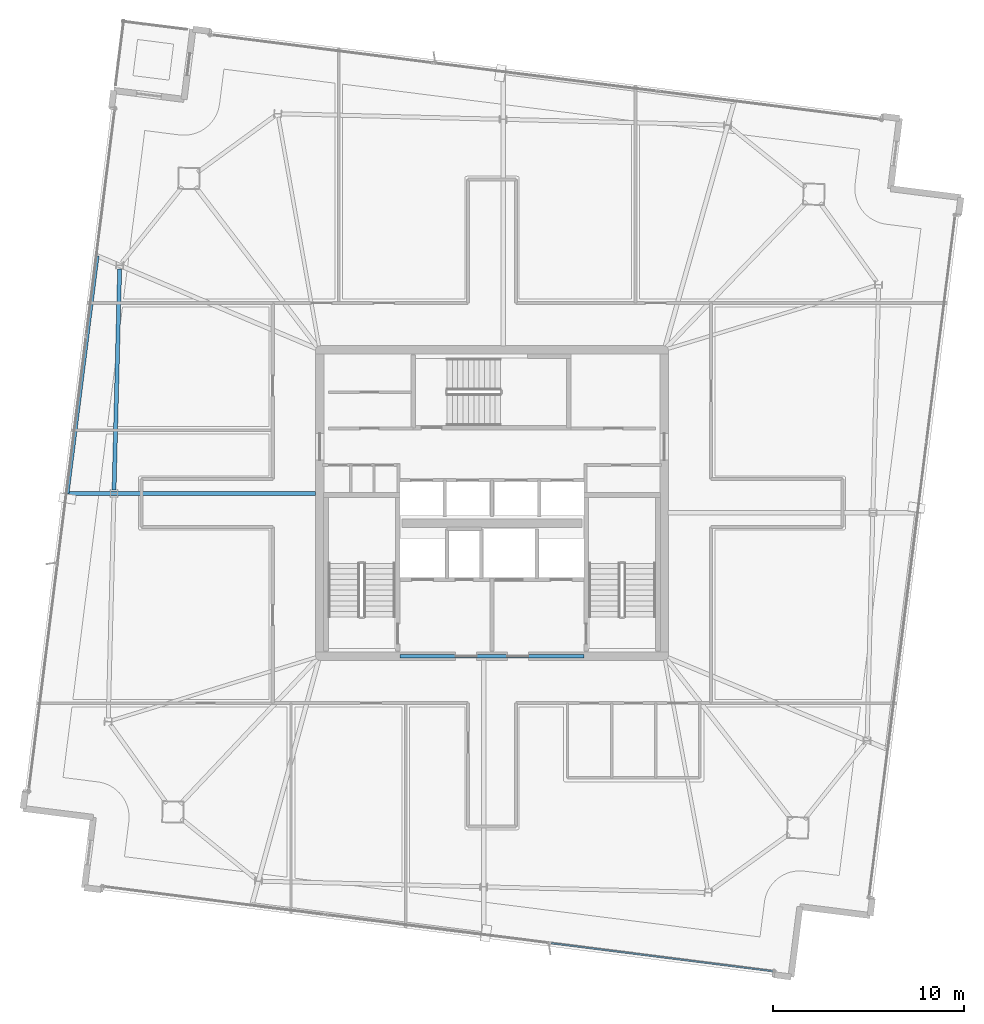
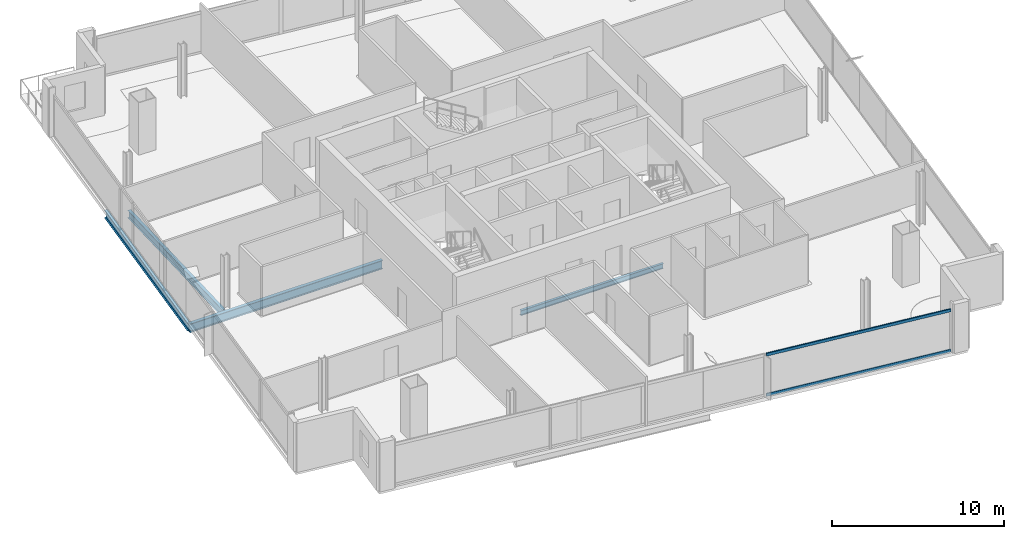
# One storey, part 6 of 23: 4 beams, 2 members, 1 element without a shape of its own.
"""IFC4 building model written with IfcOpenShell, lengths in metres."""

from ifc_helpers import new_model, si_unit, direction, frame, origin, origin_2d, place, context, subcontext, project, spatial, hollow_rectangle, i_section, extrude, material, material_profile, profile_set, type_object, element, aggregate, save


model = new_model("IFC4")

# Units and contexts
model_context = context("Model", 3, precision=1e-05, world=origin(), true_north=direction((0.0, 1.0)))
body_context = subcontext(model_context, "Body", "Model", "MODEL_VIEW")
ifc_project = project(units=[si_unit("LENGTHUNIT", "METRE"), si_unit("AREAUNIT", "SQUARE_METRE"), si_unit("VOLUMEUNIT", "CUBIC_METRE"), si_unit("PLANEANGLEUNIT", "RADIAN"), si_unit("MASSUNIT", "GRAM", prefix="KILO")], contexts=[model_context])

# Site, building, storey
site_placement = place(None, origin())
site = spatial("IfcSite", under=ifc_project, at=site_placement, CompositionType="ELEMENT")
building_placement = place(site_placement, origin())
building = spatial("IfcBuilding", under=site, at=building_placement, Name="Haldenkirk Collegiate Tower", CompositionType="ELEMENT")
storey_placement = place(building_placement, frame((0.0, 0.0, 306.449951171875)))
storey = spatial("IfcBuildingStorey", under=building, at=storey_placement, Name="L77", CompositionType="ELEMENT", Elevation=306.449951171875)

# Beams
ifc_material_1 = material(Name="Steel ASTM A992 Grade 50", Category="steel")
ifc_material_profile_1 = material_profile(ifc_material_1, i_section(OverallWidth=0.22998046875, OverallDepth=0.616943359375, WebThickness=0.01318359375, FlangeThickness=0.022216796875, at=origin_2d()), Name="W24X94")
ifc_profile_set_1 = profile_set([ifc_material_profile_1], Name="Steel ASTM A992 Grade 50")
beam_type_1 = type_object("IfcBeamType", Name="BM-GIRDER-W24X94", PredefinedType="BEAM", material=ifc_profile_set_1)
beam_1_placement = place(storey_placement, frame((13.8076171875, 26.499755859375, -0.568359375), z_axis=(1.0, 0.0, 0.0), x_axis=(0.0, 1.0, 0.0)))
element("IfcBeam", 1, at=beam_1_placement, inside=storey, type_object=beam_type_1, Name="L77 primary floor girder 12", PredefinedType="BEAM", context=body_context, shape_type="SweptSolid", body=[
    extrude(i_section(OverallWidth=0.22998046875, OverallDepth=0.616943359375, WebThickness=0.01318359375, FlangeThickness=0.022216796875, at=origin_2d()), origin(), (0.0, 0.0, 1.0), 12.9873046875),
])
ifc_material_profile_2 = material_profile(ifc_material_1, i_section(OverallWidth=0.1708984375, OverallDepth=0.35595703125, WebThickness=0.007080078125, FlangeThickness=0.01171875, at=origin_2d()), Name="W14X34")
ifc_profile_set_2 = profile_set([ifc_material_profile_2], Name="Steel ASTM A992 Grade 50")
beam_type_2 = type_object("IfcBeamType", Name="BM-LINTEL-W14X34", PredefinedType="LINTEL", material=ifc_profile_set_2)
beam_2_placement = place(storey_placement, frame((31.199951171875, 18.0, -0.43798828125), z_axis=(1.0, 0.0, 0.0), x_axis=(0.0, 1.0, 0.0)))
element("IfcBeam", 2, at=beam_2_placement, inside=storey, type_object=beam_type_2, Name="L77 south core coupling lintel", PredefinedType="LINTEL", context=body_context, shape_type="SweptSolid", body=[
    extrude(i_section(OverallWidth=0.1708984375, OverallDepth=0.35595703125, WebThickness=0.007080078125, FlangeThickness=0.01171875, at=origin_2d()), origin(), (0.0, 0.0, 1.0), 9.60009765625),
])
ifc_material_profile_3 = material_profile(ifc_material_1, i_section(OverallWidth=0.2099609375, OverallDepth=0.537109375, WebThickness=0.010986328125, FlangeThickness=0.017333984375, at=origin_2d()), Name="W21X68")
ifc_profile_set_3 = profile_set([ifc_material_profile_3], Name="Steel ASTM A992 Grade 50")
beam_type_3 = type_object("IfcBeamType", Name="BM-SPANDREL-W21X68", PredefinedType="SPANDREL", material=ifc_profile_set_3)
beam_3_placement = place(storey_placement, frame((16.552978515625, 38.22412109375, -0.528564453125), z_axis=(-0.025302458902, -0.999679841536, 0.0), x_axis=(0.999679841536, -0.025302458902, 0.0)))
element("IfcBeam", 3, at=beam_3_placement, inside=storey, type_object=beam_type_3, Name="L77 perimeter spandrel beam 10", PredefinedType="SPANDREL", context=body_context, shape_type="SweptSolid", body=[
    extrude(i_section(OverallWidth=0.2099609375, OverallDepth=0.537109375, WebThickness=0.010986328125, FlangeThickness=0.017333984375, at=origin_2d()), origin(), (0.0, 0.0, 1.0), 11.5400390625),
])
beam_4_placement = place(storey_placement, frame((15.37548828125, 38.91162109375, -0.528564453125), z_axis=(-0.125324411743, -0.99211581573, 0.0), x_axis=(0.99211581573, -0.125324411743, 0.0)))
element("IfcBeam", 4, at=beam_4_placement, inside=storey, type_object=beam_type_3, Name="L77 outer facade edge beam 3", PredefinedType="SPANDREL", context=body_context, shape_type="SweptSolid", body=[
    extrude(i_section(OverallWidth=0.2099609375, OverallDepth=0.537109375, WebThickness=0.010986328125, FlangeThickness=0.017333984375, at=origin_2d()), origin(), (0.0, 0.0, 1.0), 12.510498046875),
])

# Curtain wall, members
ifc_material_2 = material(Name="Anodised architectural bronze aluminium", Category="aluminium")
curtain_wall_type = type_object("IfcCurtainWallType", Name="CW-SYS1B-CONVEX-HI", PredefinedType="USERDEFINED", material=ifc_material_2)
curtain_wall_placement = place(storey_placement, origin())
curtain_wall = element("IfcCurtainWall", 5, at=curtain_wall_placement, inside=storey, type_object=curtain_wall_type, Name="L77 Upper tower high-wind convex bronze unitised curtain wall", ObjectType="UNITISED CURTAIN WALL", PredefinedType="USERDEFINED")
ifc_material_profile_4 = material_profile(ifc_material_2, hollow_rectangle(XDim=0.0849609375, YDim=0.199951171875, WallThickness=0.0048828125, at=origin_2d()), Name="CW-TRN-1B")
ifc_profile_set_4 = profile_set([ifc_material_profile_4], Name="Anodised architectural bronze aluminium")
member_type = type_object("IfcMemberType", Name="CW-TRN-1B", PredefinedType="USERDEFINED", material=ifc_profile_set_4)
member_1_placement = place(storey_placement, frame((50.666259765625, 1.549072265625, 0.04248046875), z_axis=(-0.992115501646, 0.125326898129, 0.0), x_axis=(-0.125326898129, -0.992115501646, 0.0)))
member_1 = element("IfcMember", 6, at=member_1_placement, type_object=member_type, Name="CW-1B transom 1.1", ObjectType="TRANSOM", PredefinedType="USERDEFINED", context=body_context, shape_type="SweptSolid", body=[
    extrude(hollow_rectangle(XDim=0.0849609375, YDim=0.199951171875, WallThickness=0.0048828125, at=origin_2d()), origin(), (0.0, 0.0, 1.0), 11.672607421875),
])
member_2_placement = place(storey_placement, frame((50.666259765625, 1.549072265625, 2.905517578125), z_axis=(-0.992115501646, 0.125326898129, 0.0), x_axis=(-0.125326898129, -0.992115501646, 0.0)))
member_2 = element("IfcMember", 7, at=member_2_placement, type_object=member_type, Name="CW-1B transom 1.2", ObjectType="TRANSOM", PredefinedType="USERDEFINED", context=body_context, shape_type="SweptSolid", body=[
    extrude(hollow_rectangle(XDim=0.0849609375, YDim=0.199951171875, WallThickness=0.0048828125, at=origin_2d()), origin(), (0.0, 0.0, 1.0), 11.672607421875),
])
aggregate(curtain_wall, [member_1, member_2])

save(model, "model.ifc")
